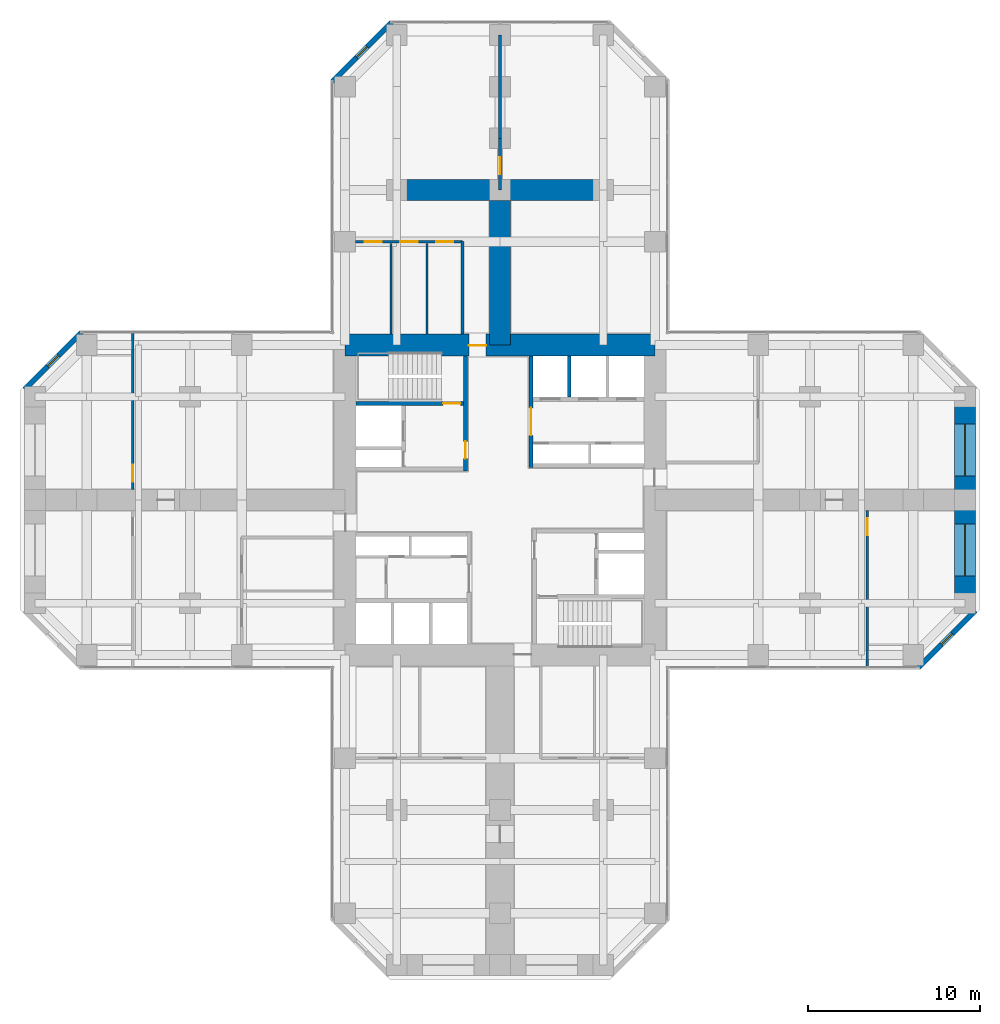
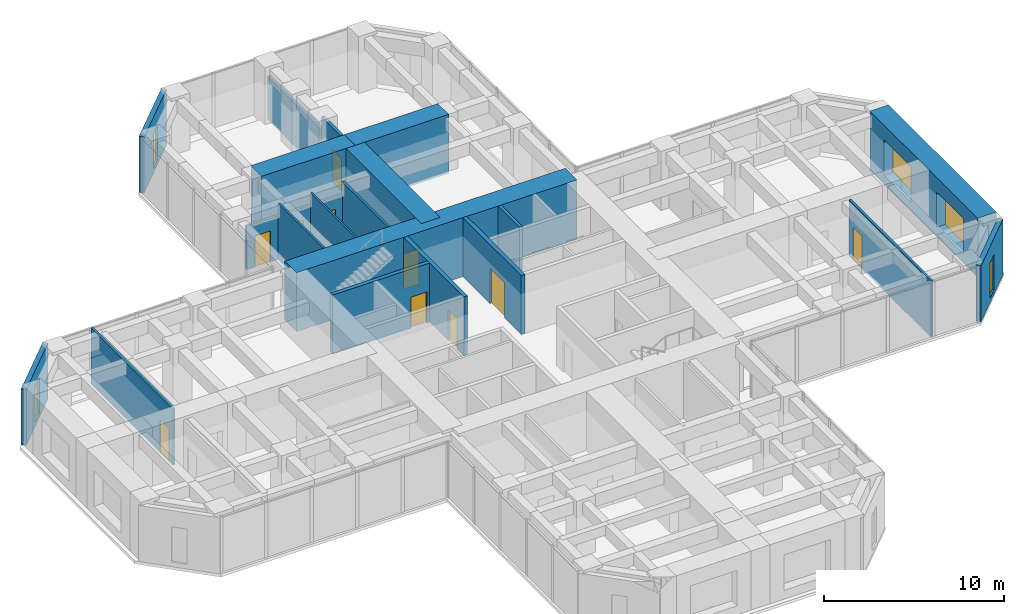
# One storey, part 10 of 12: 20 walls, 10 doors, 5 windows, 15 openings.
"""IFC4 building model written with IfcOpenShell, lengths in metres."""

from ifc_helpers import new_model, si_unit, direction, frame, frame_2d, origin, place, context, subcontext, project, spatial, rectangle, hollow_rectangle, extrude, material, layer, layer_set, constituent, constituent_set, type_object, element, fill, save


model = new_model("IFC4")

# Units and contexts
model_context = context("Model", 3, precision=1e-05, world=origin(), true_north=direction((0.0, 1.0)))
body_context = subcontext(model_context, "Body", "Model", "MODEL_VIEW")
ifc_project = project(units=[si_unit("LENGTHUNIT", "METRE"), si_unit("AREAUNIT", "SQUARE_METRE"), si_unit("VOLUMEUNIT", "CUBIC_METRE"), si_unit("PLANEANGLEUNIT", "RADIAN"), si_unit("MASSUNIT", "GRAM", prefix="KILO")], contexts=[model_context])

# Site, building, storey
site_placement = place(None, origin())
site = spatial("IfcSite", under=ifc_project, at=site_placement, CompositionType="ELEMENT")
building_placement = place(site_placement, origin())
building = spatial("IfcBuilding", under=site, at=building_placement, Name="Torre Cruceta", CompositionType="ELEMENT")
storey_placement = place(building_placement, frame((0.0, 0.0, 43.5)))
storey = spatial("IfcBuildingStorey", under=building, at=storey_placement, Name="L10", CompositionType="ELEMENT", Elevation=43.5)

# Wall, opening, door
ifc_material_1 = material(Name="Concrete G60 (fck 60 MPa)", Category="concrete")
ifc_layer_1 = layer(ifc_material_1, 0.25)
ifc_layer_set_1 = layer_set([ifc_layer_1], Name="Concrete G60 (fck 60 MPa)")
wall_type_1 = type_object("IfcWallType", Name="CORE INNER WALL 250 G60", PredefinedType="SHEAR", material=ifc_layer_set_1)
wall_1_placement = place(storey_placement, frame((1.800048828125, 1.875, 0.0), z_axis=(0.0, 0.0, 1.0), x_axis=(0.0, 1.0, 0.0)))
wall_1 = element("IfcWall", 1, at=wall_1_placement, inside=storey, type_object=wall_type_1, Name="CW4 L10 NE-CU", PredefinedType="SHEAR", context=body_context, shape_type="SweptSolid", body=[
    extrude(rectangle(XDim=6.47509765625, YDim=0.25, at=frame_2d((3.237548828125, 0.0))), origin(), (0.0, 0.0, 1.0), 4.0),
])
opening_1_placement = place(wall_1_placement, frame((1.875, 0.0, 0.0)))
opening_1 = element("IfcOpeningElement", 2, at=opening_1_placement, cuts=wall_1, Name="Opening D8", PredefinedType="OPENING", context=body_context, shape_type="SweptSolid", body=[
    extrude(rectangle(XDim=1.60009765625, YDim=2.39990234375, at=frame_2d((0.800048828125, 1.199951171875))), frame((0.0, 0.135009765625, 0.0), z_axis=(0.0, -1.0, 0.0), x_axis=(1.0, 0.0, 0.0)), (0.0, 0.0, 1.0), 0.27001953125),
])
ifc_material_2 = material(Name="Steel DX51D", Category="steel")
ifc_constituent_1 = constituent(ifc_material_2, Name="Leaf and frame")
ifc_material_3 = material(Name="Polyester powder coating", Category="paint")
ifc_constituent_2 = constituent(ifc_material_3, Name="Finish")
ifc_material_4 = material(Name="Fire-resisting glass", Category="glass")
ifc_constituent_3 = constituent(ifc_material_4, Name="Vision panel")
ifc_constituent_set_1 = constituent_set(constituents=[ifc_constituent_1, ifc_constituent_2, ifc_constituent_3], Name="Steel fire door with vision panels")
door_type_1 = type_object("IfcDoorType", Name="LIFT LOBBY DOUBLE DOOR 1600X2400", OperationType="DOUBLE_DOOR_DOUBLE_SWING", PredefinedType="DOOR", material=ifc_constituent_set_1)
door_1_placement = place(opening_1_placement, origin())
door_1 = element("IfcDoor", 3, at=door_1_placement, inside=storey, type_object=door_type_1, Name="D8 L10 NE-LOBBY", OperationType="DOUBLE_DOOR_DOUBLE_SWING", OverallHeight=2.39990234375, OverallWidth=1.60009765625, PredefinedType="DOOR", context=body_context, shape_type="SweptSolid", body=[
    extrude(rectangle(XDim=1.60009765625, YDim=2.39990234375, at=frame_2d((0.800048828125, 1.199951171875))), frame((0.0, 0.02490234375, 0.0), z_axis=(0.0, -1.0, 0.0), x_axis=(1.0, 0.0, 0.0)), (0.0, 0.0, 1.0), 0.050048828125),
])
fill(opening_1, door_1)

wall_2_placement = place(storey_placement, frame((-2.0, 1.675048828125, 0.0), z_axis=(0.0, 0.0, 1.0), x_axis=(0.0, 1.0, 0.0)))
wall_2 = element("IfcWall", 4, at=wall_2_placement, inside=storey, type_object=wall_type_1, Name="CW4 L10 NW-CU", PredefinedType="SHEAR", context=body_context, shape_type="SweptSolid", body=[
    extrude(rectangle(XDim=6.675048828125, YDim=0.25, at=frame_2d((3.33740234375, 0.0))), origin(), (0.0, 0.0, 1.0), 4.0),
])
opening_2_placement = place(wall_2_placement, frame((0.72509765625, 0.0, 0.0)))
opening_2 = element("IfcOpeningElement", 5, at=opening_2_placement, cuts=wall_2, Name="Opening D3", PredefinedType="OPENING", context=body_context, shape_type="SweptSolid", body=[
    extrude(rectangle(XDim=1.0, YDim=2.10009765625, at=frame_2d((0.5, 1.050048828125))), frame((0.0, 0.135009765625, 0.0), z_axis=(0.0, -1.0, 0.0), x_axis=(1.0, 0.0, 0.0)), (0.0, 0.0, 1.0), 0.27001953125),
])
ifc_material_5 = material(Name="Steel DX51D", Category="steel")
ifc_constituent_4 = constituent(ifc_material_5, Name="Leaf and frame")
ifc_material_6 = material(Name="Polyester powder coating", Category="paint")
ifc_constituent_5 = constituent(ifc_material_6, Name="Finish")
ifc_constituent_set_2 = constituent_set(constituents=[ifc_constituent_4, ifc_constituent_5], Name="Steel fire door")
door_type_2 = type_object("IfcDoorType", Name="FIRE DOOR 1000X2100", OperationType="SINGLE_SWING_LEFT", PredefinedType="DOOR", material=ifc_constituent_set_2)
door_2_placement = place(opening_2_placement, origin())
door_2 = element("IfcDoor", 6, at=door_2_placement, inside=storey, type_object=door_type_2, Name="D3 L10 NW-LOBBY", OperationType="SINGLE_SWING_LEFT", OverallHeight=2.10009765625, OverallWidth=1.0, PredefinedType="DOOR", context=body_context, shape_type="SweptSolid", body=[
    extrude(rectangle(XDim=1.0, YDim=2.10009765625, at=frame_2d((0.5, 1.050048828125))), frame((0.0, 0.02490234375, 0.0), z_axis=(0.0, -1.0, 0.0), x_axis=(1.0, 0.0, 0.0)), (0.0, 0.0, 1.0), 0.050048828125),
])
fill(opening_2, door_2)

wall_3_placement = place(storey_placement, frame((-2.125, 5.60009765625, 0.0), z_axis=(0.0, 0.0, 1.0), x_axis=(-1.0, 0.0, 0.0)))
wall_3 = element("IfcWall", 7, at=wall_3_placement, inside=storey, type_object=wall_type_1, Name="CW4 L10 NW-SV", PredefinedType="SHEAR", context=body_context, shape_type="SweptSolid", body=[
    extrude(rectangle(XDim=6.22509765625, YDim=0.25, at=frame_2d((3.112548828125, 0.0))), origin(), (0.0, 0.0, 1.0), 4.0),
])
opening_3_placement = place(wall_3_placement, frame((0.175048828125, 0.0, 0.0)))
opening_3 = element("IfcOpeningElement", 8, at=opening_3_placement, cuts=wall_3, Name="Opening D3", PredefinedType="OPENING", context=body_context, shape_type="SweptSolid", body=[
    extrude(rectangle(XDim=1.0, YDim=2.10009765625, at=frame_2d((0.5, 1.050048828125))), frame((0.0, 0.135009765625, 0.0), z_axis=(0.0, -1.0, 0.0), x_axis=(1.0, 0.0, 0.0)), (0.0, 0.0, 1.0), 0.27001953125),
])
door_3_placement = place(opening_3_placement, frame((1.0, 0.0, 0.0), z_axis=(0.0, 0.0, 1.0), x_axis=(-1.0, 0.0, 0.0)))
door_3 = element("IfcDoor", 9, at=door_3_placement, inside=storey, type_object=door_type_2, Name="D3 L10 NW-STAIR", OperationType="SINGLE_SWING_RIGHT", OverallHeight=2.10009765625, OverallWidth=1.0, PredefinedType="DOOR", context=body_context, shape_type="SweptSolid", body=[
    extrude(rectangle(XDim=1.0, YDim=2.10009765625, at=frame_2d((0.5, 1.050048828125))), frame((0.0, 0.025146484375, 0.0), z_axis=(0.0, -1.0, 0.0), x_axis=(1.0, 0.0, 0.0)), (0.0, 0.0, 1.0), 0.050048828125),
])
fill(opening_3, door_3)

ifc_material_7 = material(Name="Concrete G60 (fck 60 MPa)", Category="concrete")
ifc_layer_2 = layer(ifc_material_7, 1.300048828125)
ifc_layer_set_2 = layer_set([ifc_layer_2], Name="Concrete G60 (fck 60 MPa)")
wall_type_2 = type_object("IfcWallType", Name="CORE WALL 1300 G60", PredefinedType="SHEAR", material=ifc_layer_set_2)
wall_4_placement = place(storey_placement, frame((9.0, 9.0, 0.0), z_axis=(0.0, 0.0, 1.0), x_axis=(-1.0, 0.0, 0.0)))
wall_4 = element("IfcWall", 10, at=wall_4_placement, inside=storey, type_object=wall_type_2, Name="CW1 L10 CW-N", PredefinedType="SHEAR", context=body_context, shape_type="SweptSolid", body=[
    extrude(rectangle(XDim=18.0, YDim=1.300048828125, at=frame_2d((9.0, 0.0))), origin(), (0.0, 0.0, 1.0), 4.0),
])
opening_4_placement = place(wall_4_placement, frame((9.800048828125, 0.0, 0.0)))
opening_4 = element("IfcOpeningElement", 11, at=opening_4_placement, cuts=wall_4, Name="Opening D4", PredefinedType="OPENING", context=body_context, shape_type="SweptSolid", body=[
    extrude(rectangle(XDim=1.0, YDim=2.39990234375, at=frame_2d((0.5, 1.199951171875))), frame((0.0, 0.659912109375, 0.0), z_axis=(0.0, -1.0, 0.0), x_axis=(1.0, 0.0, 0.0)), (0.0, 0.0, 1.0), 1.320068359375),
])
ifc_material_8 = material(Name="Steel DX51D", Category="steel")
ifc_constituent_6 = constituent(ifc_material_8, Name="Leaf and frame")
ifc_material_9 = material(Name="Polyester powder coating", Category="paint")
ifc_constituent_7 = constituent(ifc_material_9, Name="Finish")
ifc_constituent_set_3 = constituent_set(constituents=[ifc_constituent_6, ifc_constituent_7], Name="Steel fire door")
door_type_3 = type_object("IfcDoorType", Name="CORE ARM DOOR 1000X2400", OperationType="SINGLE_SWING_RIGHT", PredefinedType="DOOR", material=ifc_constituent_set_3)
door_4_placement = place(opening_4_placement, frame((1.0, 0.0, 0.0), z_axis=(0.0, 0.0, 1.0), x_axis=(-1.0, 0.0, 0.0)))
door_4 = element("IfcDoor", 12, at=door_4_placement, inside=storey, type_object=door_type_3, Name="D4 L10 CW-N", OperationType="SINGLE_SWING_RIGHT", OverallHeight=2.39990234375, OverallWidth=1.0, PredefinedType="DOOR", context=body_context, shape_type="SweptSolid", body=[
    extrude(rectangle(XDim=1.0, YDim=2.39990234375, at=frame_2d((0.5, 1.199951171875))), frame((0.0, -0.005126953125, 0.0), z_axis=(0.0, -1.0, 0.0), x_axis=(1.0, 0.0, 0.0)), (0.0, 0.0, 1.0), 0.050048828125),
])
fill(opening_4, door_4)

ifc_material_10 = material(Name="Concrete G25 (fck 25 MPa)", Category="concrete")
ifc_layer_3 = layer(ifc_material_10, 0.199951171875)
ifc_layer_set_3 = layer_set([ifc_layer_3], Name="Concrete G25 (fck 25 MPa)")
wall_type_3 = type_object("IfcWallType", Name="CORRIDOR WALL 200", PredefinedType="SOLIDWALL", material=ifc_layer_set_3)
wall_5_placement = place(storey_placement, frame((0.0, 18.0, 0.0), z_axis=(0.0, 0.0, 1.0), x_axis=(0.0, 1.0, 0.0)))
wall_5 = element("IfcWall", 13, at=wall_5_placement, inside=storey, type_object=wall_type_3, Name="PT3 spine line L10 N", PredefinedType="SOLIDWALL", context=body_context, shape_type="SweptSolid", body=[
    extrude(rectangle(XDim=3.0, YDim=0.199951171875, at=frame_2d((1.5, 0.0))), origin(), (0.0, 0.0, 1.0), 3.800048828125),
])
opening_5_placement = place(wall_5_placement, frame((0.89990234375, 0.0, 0.0)))
opening_5 = element("IfcOpeningElement", 14, at=opening_5_placement, cuts=wall_5, Name="Opening D14", PredefinedType="OPENING", context=body_context, shape_type="SweptSolid", body=[
    extrude(rectangle(XDim=1.0, YDim=2.199951171875, at=frame_2d((0.5, 1.10009765625))), frame((0.0, 0.10986328125, 0.0), z_axis=(0.0, -1.0, 0.0), x_axis=(1.0, 0.0, 0.0)), (0.0, 0.0, 1.0), 0.219970703125),
])
ifc_material_11 = material(Name="Steel DX51D", Category="steel")
ifc_constituent_8 = constituent(ifc_material_11, Name="Leaf and frame")
ifc_material_12 = material(Name="Polyester powder coating", Category="paint")
ifc_constituent_9 = constituent(ifc_material_12, Name="Finish")
ifc_material_13 = material(Name="Fire-resisting glass", Category="glass")
ifc_constituent_10 = constituent(ifc_material_13, Name="Vision panel")
ifc_constituent_set_4 = constituent_set(constituents=[ifc_constituent_8, ifc_constituent_9, ifc_constituent_10], Name="Steel fire door with vision panel")
door_type_4 = type_object("IfcDoorType", Name="FIRE DOOR VISION PANEL 1000X2200", OperationType="SINGLE_SWING_RIGHT", PredefinedType="DOOR", material=ifc_constituent_set_4)
door_5_placement = place(opening_5_placement, origin())
door_5 = element("IfcDoor", 15, at=door_5_placement, inside=storey, type_object=door_type_4, Name="D14 L10-N-SP1", OperationType="SINGLE_SWING_LEFT", OverallHeight=2.199951171875, OverallWidth=1.0, PredefinedType="DOOR", context=body_context, shape_type="SweptSolid", body=[
    extrude(rectangle(XDim=1.0, YDim=2.199951171875, at=frame_2d((0.5, 1.10009765625))), frame((0.0, 0.02490234375, 0.0), z_axis=(0.0, -1.0, 0.0), x_axis=(1.0, 0.0, 0.0)), (0.0, 0.0, 1.0), 0.050048828125),
])
fill(opening_5, door_5)

# Walls
wall_6_placement = place(storey_placement, frame((0.0, 21.0, 0.0), z_axis=(0.0, 0.0, 1.0), x_axis=(0.0, 1.0, 0.0)))
element("IfcWall", 16, at=wall_6_placement, inside=storey, type_object=wall_type_3, Name="PT3 spine line L10 N 2", PredefinedType="SOLIDWALL", context=body_context, shape_type="SweptSolid", body=[
    extrude(rectangle(XDim=6.0, YDim=0.199951171875, at=frame_2d((3.0, 0.0))), origin(), (0.0, 0.0, 1.0), 2.89990234375),
])
ifc_material_14 = material(Name="Concrete G60 (fck 60 MPa)", Category="concrete")
ifc_layer_4 = layer(ifc_material_14, 1.199951171875)
ifc_layer_set_4 = layer_set([ifc_layer_4], Name="Concrete G60 (fck 60 MPa)")
wall_type_4 = type_object("IfcWallType", Name="CROSS WALL 1200 G60", PredefinedType="SHEAR", material=ifc_layer_set_4)
for number, where, z_axis, x_axis, name in (
    (17, (0.0, 18.0, 0.0), (0.0, 0.0, 1.0), (-1.0, 0.0, 0.0), "XW1 cross wall L10 N L"),
    (18, (0.0, 18.0, 0.0), (0.0, 0.0, 1.0), (1.0, 0.0, 0.0), "XW1 cross wall L10 N R"),
):
    element("IfcWall", number, at=place(storey_placement, frame(where, z_axis=z_axis, x_axis=x_axis)), inside=storey, type_object=wall_type_4, Name=name, PredefinedType="SHEAR", context=body_context, shape_type="SweptSolid", body=[
        extrude(rectangle(XDim=6.0, YDim=1.199951171875, at=frame_2d((3.0, 0.0))), origin(), (0.0, 0.0, 1.0), 4.0),
    ])

# Wall, opening, window
ifc_material_15 = material(Name="Concrete G30 (fck 30 MPa)", Category="concrete")
ifc_layer_5 = layer(ifc_material_15, 0.300048828125)
ifc_layer_set_5 = layer_set([ifc_layer_5], Name="Concrete G30 (fck 30 MPa)")
wall_type_5 = type_object("IfcWallType", Name="EXPOSED CONCRETE FACADE WALL 300", PredefinedType="SOLIDWALL", material=ifc_layer_set_5)
wall_7_placement = place(storey_placement, frame((24.29833984375, -9.719970703125, 0.0), z_axis=(0.0, 0.0, 1.0), x_axis=(0.707106781187, 0.707106781187, 0.0)))
wall_7 = element("IfcWall", 19, at=wall_7_placement, inside=storey, type_object=wall_type_5, Name="EW1 facade wall L10 E chamfer 01", PredefinedType="SOLIDWALL", context=body_context, shape_type="SweptSolid", body=[
    extrude(rectangle(XDim=4.66943359375, YDim=0.300048828125, at=frame_2d((2.334716796875, 0.0))), origin(), (0.0, 0.0, 1.0), 3.800048828125),
])
opening_6_placement = place(wall_7_placement, frame((1.884765625, 0.0, 0.300048828125)))
opening_6 = element("IfcOpeningElement", 20, at=opening_6_placement, cuts=wall_7, Name="Opening WN5", PredefinedType="OPENING", context=body_context, shape_type="SweptSolid", body=[
    extrude(rectangle(XDim=0.89990234375, YDim=2.39990234375, at=frame_2d((0.449951171875, 1.199951171875))), frame((0.0, 0.159912109375, 0.0), z_axis=(0.0, -1.0, 0.0), x_axis=(1.0, 0.0, 0.0)), (0.0, 0.0, 1.0), 0.320068359375),
])
ifc_material_16 = material(Name="Aluminium window frame", Category="aluminium")
ifc_constituent_11 = constituent(ifc_material_16, Name="Frame")
ifc_material_17 = material(Name="Laminated insulating glass unit, low-iron clear", Category="glass")
ifc_constituent_12 = constituent(ifc_material_17, Name="Glazing")
ifc_constituent_set_5 = constituent_set(constituents=[ifc_constituent_11, ifc_constituent_12], Name="Aluminium window")
window_type_1 = type_object("IfcWindowType", Name="CHAMFER SLOT WINDOW 900X2400", PartitioningType="SINGLE_PANEL", PredefinedType="WINDOW", material=ifc_constituent_set_5)
window_1_placement = place(opening_6_placement, origin())
window_1 = element("IfcWindow", 21, at=window_1_placement, inside=storey, type_object=window_type_1, Name="WN5 L10 E 1", OverallHeight=2.39990234375, OverallWidth=0.89990234375, PartitioningType="SINGLE_PANEL", PredefinedType="WINDOW", context=body_context, shape_type="SweptSolid", body=[
    extrude(hollow_rectangle(XDim=0.89990234375, YDim=2.39990234375, WallThickness=0.06005859375, at=frame_2d((0.449951171875, 1.199951171875))), frame((0.0, 0.030029296875, 0.0), z_axis=(0.0, -1.0, 0.0), x_axis=(1.0, 0.0, 0.0)), (0.0, 0.0, 1.0), 0.06005859375),
    extrude(rectangle(XDim=0.77880859375, YDim=2.27880859375, at=frame_2d((0.449951171875, 1.199951171875))), frame((0.0, 0.030029296875, 0.0), z_axis=(0.0, -1.0, 0.0), x_axis=(1.0, 0.0, 0.0)), (0.0, 0.0, 1.0), 0.06005859375),
])
fill(opening_6, window_1)

wall_8_placement = place(storey_placement, frame((-6.29833984375, 27.719970703125, 0.0), z_axis=(0.0, 0.0, 1.0), x_axis=(-0.707106781187, -0.707106781187, 0.0)))
wall_8 = element("IfcWall", 22, at=wall_8_placement, inside=storey, type_object=wall_type_5, Name="EW1 facade wall L10 N chamfer 08", PredefinedType="SOLIDWALL", context=body_context, shape_type="SweptSolid", body=[
    extrude(rectangle(XDim=4.8388671875, YDim=0.300048828125, at=frame_2d((2.41943359375, 0.0))), origin(), (0.0, 0.0, 1.0), 3.800048828125),
])
opening_7_placement = place(wall_8_placement, frame((1.969482421875, 0.0, 0.300048828125)))
opening_7 = element("IfcOpeningElement", 23, at=opening_7_placement, cuts=wall_8, Name="Opening WN5", PredefinedType="OPENING", context=body_context, shape_type="SweptSolid", body=[
    extrude(rectangle(XDim=0.89990234375, YDim=2.39990234375, at=frame_2d((0.449951171875, 1.199951171875))), frame((0.0, 0.159912109375, 0.0), z_axis=(0.0, -1.0, 0.0), x_axis=(1.0, 0.0, 0.0)), (0.0, 0.0, 1.0), 0.320068359375),
])
window_2_placement = place(opening_7_placement, origin())
window_2 = element("IfcWindow", 24, at=window_2_placement, inside=storey, type_object=window_type_1, Name="WN5 L10 N 1", OverallHeight=2.39990234375, OverallWidth=0.89990234375, PartitioningType="SINGLE_PANEL", PredefinedType="WINDOW", context=body_context, shape_type="SweptSolid", body=[
    extrude(hollow_rectangle(XDim=0.89990234375, YDim=2.39990234375, WallThickness=0.06005859375, at=frame_2d((0.449951171875, 1.199951171875))), frame((0.0, 0.030029296875, 0.0), z_axis=(0.0, -1.0, 0.0), x_axis=(1.0, 0.0, 0.0)), (0.0, 0.0, 1.0), 0.06005859375),
    extrude(rectangle(XDim=0.77880859375, YDim=2.27880859375, at=frame_2d((0.449951171875, 1.199951171875))), frame((0.0, 0.030029296875, 0.0), z_axis=(0.0, -1.0, 0.0), x_axis=(1.0, 0.0, 0.0)), (0.0, 0.0, 1.0), 0.06005859375),
])
fill(opening_7, window_2)

wall_9_placement = place(storey_placement, frame((-24.29833984375, 9.719970703125, 0.0), z_axis=(0.0, 0.0, 1.0), x_axis=(-0.707106781187, -0.707106781187, 0.0)))
wall_9 = element("IfcWall", 25, at=wall_9_placement, inside=storey, type_object=wall_type_5, Name="EW1 facade wall L10 W chamfer 11", PredefinedType="SOLIDWALL", context=body_context, shape_type="SweptSolid", body=[
    extrude(rectangle(XDim=4.66943359375, YDim=0.300048828125, at=frame_2d((2.334716796875, 0.0))), origin(), (0.0, 0.0, 1.0), 3.800048828125),
])
opening_8_placement = place(wall_9_placement, frame((1.884765625, 0.0, 0.300048828125)))
opening_8 = element("IfcOpeningElement", 26, at=opening_8_placement, cuts=wall_9, Name="Opening WN5", PredefinedType="OPENING", context=body_context, shape_type="SweptSolid", body=[
    extrude(rectangle(XDim=0.89990234375, YDim=2.39990234375, at=frame_2d((0.449951171875, 1.199951171875))), frame((0.0, 0.159912109375, 0.0), z_axis=(0.0, -1.0, 0.0), x_axis=(1.0, 0.0, 0.0)), (0.0, 0.0, 1.0), 0.320068359375),
])
window_3_placement = place(opening_8_placement, origin())
window_3 = element("IfcWindow", 27, at=window_3_placement, inside=storey, type_object=window_type_1, Name="WN5 L10 W 1", OverallHeight=2.39990234375, OverallWidth=0.89990234375, PartitioningType="SINGLE_PANEL", PredefinedType="WINDOW", context=body_context, shape_type="SweptSolid", body=[
    extrude(hollow_rectangle(XDim=0.89990234375, YDim=2.39990234375, WallThickness=0.06005859375, at=frame_2d((0.449951171875, 1.199951171875))), frame((0.0, 0.030029296875, 0.0), z_axis=(0.0, -1.0, 0.0), x_axis=(1.0, 0.0, 0.0)), (0.0, 0.0, 1.0), 0.06005859375),
    extrude(rectangle(XDim=0.77880859375, YDim=2.27880859375, at=frame_2d((0.449951171875, 1.199951171875))), frame((0.0, 0.030029296875, 0.0), z_axis=(0.0, -1.0, 0.0), x_axis=(1.0, 0.0, 0.0)), (0.0, 0.0, 1.0), 0.06005859375),
])
fill(opening_8, window_3)

# Wall
ifc_material_18 = material(Name="Concrete G35 (fck 35 MPa)", Category="concrete")
ifc_layer_6 = layer(ifc_material_18, 0.199951171875)
ifc_layer_set_6 = layer_set([ifc_layer_6], Name="Concrete G35 (fck 35 MPa)")
wall_type_6 = type_object("IfcWallType", Name="LIFT SHAFT WALL 200", PredefinedType="PARTITIONING", material=ifc_layer_set_6)
wall_10_placement = place(storey_placement, frame((4.033447265625, 5.97509765625, 0.0), z_axis=(0.0, 0.0, 1.0), x_axis=(0.0, 1.0, 0.0)))
element("IfcWall", 28, at=wall_10_placement, inside=storey, type_object=wall_type_6, Name="SW1 L10 NE-LS1", PredefinedType="PARTITIONING", context=body_context, shape_type="SweptSolid", body=[
    extrude(rectangle(XDim=2.375, YDim=0.199951171875, at=frame_2d((1.1875, 0.0))), origin(), (0.0, 0.0, 1.0), 4.0),
])

# Wall, openings, windows
ifc_material_19 = material(Name="Concrete G60 (fck 60 MPa)", Category="concrete")
ifc_layer_7 = layer(ifc_material_19, 1.199951171875)
ifc_layer_set_7 = layer_set([ifc_layer_7], Name="Concrete G60 (fck 60 MPa)")
wall_type_7 = type_object("IfcWallType", Name="NOSE WALL 1200 G60", PredefinedType="SHEAR", material=ifc_layer_set_7)
wall_11_placement = place(storey_placement, frame((27.0, -6.0, 0.0), z_axis=(0.0, 0.0, 1.0), x_axis=(0.0, 1.0, 0.0)))
wall_11 = element("IfcWall", 29, at=wall_11_placement, inside=storey, type_object=wall_type_7, Name="NW1 nose wall L10 E", PredefinedType="SHEAR", context=body_context, shape_type="SweptSolid", body=[
    extrude(rectangle(XDim=12.0, YDim=1.199951171875, at=frame_2d((6.0, 0.0))), origin(), (0.0, 0.0, 1.0), 4.0),
])
opening_9_placement = place(wall_11_placement, frame((1.60009765625, 0.0, 0.60009765625)))
opening_9 = element("IfcOpeningElement", 30, at=opening_9_placement, cuts=wall_11, Name="Opening WN6", PredefinedType="OPENING", context=body_context, shape_type="SweptSolid", body=[
    extrude(rectangle(XDim=3.0, YDim=2.39990234375, at=frame_2d((1.5, 1.199951171875))), frame((0.0, 0.60986328125, 0.0), z_axis=(0.0, -1.0, 0.0), x_axis=(1.0, 0.0, 0.0)), (0.0, 0.0, 1.0), 1.219970703125),
])
opening_10_placement = place(wall_11_placement, frame((7.39990234375, 0.0, 0.60009765625)))
opening_10 = element("IfcOpeningElement", 31, at=opening_10_placement, cuts=wall_11, Name="Opening WN6", PredefinedType="OPENING", context=body_context, shape_type="SweptSolid", body=[
    extrude(rectangle(XDim=3.0, YDim=2.39990234375, at=frame_2d((1.5, 1.199951171875))), frame((0.0, 0.60986328125, 0.0), z_axis=(0.0, -1.0, 0.0), x_axis=(1.0, 0.0, 0.0)), (0.0, 0.0, 1.0), 1.219970703125),
])
ifc_material_20 = material(Name="Aluminium window frame", Category="aluminium")
ifc_constituent_13 = constituent(ifc_material_20, Name="Frame")
ifc_material_21 = material(Name="Laminated insulating glass unit, low-iron clear", Category="glass")
ifc_constituent_14 = constituent(ifc_material_21, Name="Glazing")
ifc_constituent_set_6 = constituent_set(constituents=[ifc_constituent_13, ifc_constituent_14], Name="Aluminium window")
window_type_2 = type_object("IfcWindowType", Name="NOSE WALL WINDOW 3000X2400", PartitioningType="SINGLE_PANEL", PredefinedType="WINDOW", material=ifc_constituent_set_6)
window_4_placement = place(opening_9_placement, origin())
window_4 = element("IfcWindow", 32, at=window_4_placement, inside=storey, type_object=window_type_2, Name="WN6 L10 E 1", OverallHeight=2.39990234375, OverallWidth=3.0, PartitioningType="SINGLE_PANEL", PredefinedType="WINDOW", context=body_context, shape_type="SweptSolid", body=[
    extrude(hollow_rectangle(XDim=3.0, YDim=2.39990234375, WallThickness=0.06005859375, at=frame_2d((1.5, 1.199951171875))), frame((0.0, 0.030029296875, 0.0), z_axis=(0.0, -1.0, 0.0), x_axis=(1.0, 0.0, 0.0)), (0.0, 0.0, 1.0), 0.06005859375),
    extrude(rectangle(XDim=2.87890625, YDim=2.27880859375, at=frame_2d((1.5, 1.199951171875))), frame((0.0, 0.030029296875, 0.0), z_axis=(0.0, -1.0, 0.0), x_axis=(1.0, 0.0, 0.0)), (0.0, 0.0, 1.0), 0.06005859375),
])
fill(opening_9, window_4)
window_5_placement = place(opening_10_placement, origin())
window_5 = element("IfcWindow", 33, at=window_5_placement, inside=storey, type_object=window_type_2, Name="WN6 L10 E 2", OverallHeight=2.39990234375, OverallWidth=3.0, PartitioningType="SINGLE_PANEL", PredefinedType="WINDOW", context=body_context, shape_type="SweptSolid", body=[
    extrude(hollow_rectangle(XDim=3.0, YDim=2.39990234375, WallThickness=0.06005859375, at=frame_2d((1.5, 1.199951171875))), frame((0.0, 0.030029296875, 0.0), z_axis=(0.0, -1.0, 0.0), x_axis=(1.0, 0.0, 0.0)), (0.0, 0.0, 1.0), 0.06005859375),
    extrude(rectangle(XDim=2.87890625, YDim=2.27880859375, at=frame_2d((1.5, 1.199951171875))), frame((0.0, 0.030029296875, 0.0), z_axis=(0.0, -1.0, 0.0), x_axis=(1.0, 0.0, 0.0)), (0.0, 0.0, 1.0), 0.06005859375),
])
fill(opening_10, window_5)

# Wall, openings, doors
ifc_material_22 = material(Name="Plasterboard on steel studs", Category="steel")
ifc_layer_8 = layer(ifc_material_22, 0.14990234375)
ifc_layer_set_8 = layer_set([ifc_layer_8], Name="Plasterboard on steel studs")
wall_type_8 = type_object("IfcWallType", Name="PARTITION 150", PredefinedType="PARTITIONING", material=ifc_layer_set_8)
wall_12_placement = place(storey_placement, frame((-2.175048828125, 15.0, 0.0), z_axis=(0.0, 0.0, 1.0), x_axis=(-1.0, 0.0, 0.0)))
wall_12 = element("IfcWall", 34, at=wall_12_placement, inside=storey, type_object=wall_type_8, Name="PT1 L10-N-BFL", PredefinedType="PARTITIONING", context=body_context, shape_type="SweptSolid", body=[
    extrude(rectangle(XDim=6.224853515625, YDim=0.14990234375, at=frame_2d((3.1123046875, 0.0))), origin(), (0.0, 0.0, 1.0), 2.949951171875),
])
opening_11_placement = place(wall_12_placement, frame((0.53759765625, 0.0, 0.0)))
opening_11 = element("IfcOpeningElement", 35, at=opening_11_placement, cuts=wall_12, Name="Opening D3", PredefinedType="OPENING", context=body_context, shape_type="SweptSolid", body=[
    extrude(rectangle(XDim=1.0, YDim=2.10009765625, at=frame_2d((0.5, 1.050048828125))), frame((0.0, 0.0849609375, 0.0), z_axis=(0.0, -1.0, 0.0), x_axis=(1.0, 0.0, 0.0)), (0.0, 0.0, 1.0), 0.169921875),
])
opening_12_placement = place(wall_12_placement, frame((2.612548828125, 0.0, 0.0)))
opening_12 = element("IfcOpeningElement", 36, at=opening_12_placement, cuts=wall_12, Name="Opening D3", PredefinedType="OPENING", context=body_context, shape_type="SweptSolid", body=[
    extrude(rectangle(XDim=1.0, YDim=2.10009765625, at=frame_2d((0.5, 1.050048828125))), frame((0.0, 0.0849609375, 0.0), z_axis=(0.0, -1.0, 0.0), x_axis=(1.0, 0.0, 0.0)), (0.0, 0.0, 1.0), 0.169921875),
])
opening_13_placement = place(wall_12_placement, frame((4.6875, 0.0, 0.0)))
opening_13 = element("IfcOpeningElement", 37, at=opening_13_placement, cuts=wall_12, Name="Opening D3", PredefinedType="OPENING", context=body_context, shape_type="SweptSolid", body=[
    extrude(rectangle(XDim=1.0, YDim=2.10009765625, at=frame_2d((0.5, 1.050048828125))), frame((0.0, 0.0849609375, 0.0), z_axis=(0.0, -1.0, 0.0), x_axis=(1.0, 0.0, 0.0)), (0.0, 0.0, 1.0), 0.169921875),
])
door_6_placement = place(opening_11_placement, origin())
door_6 = element("IfcDoor", 38, at=door_6_placement, inside=storey, type_object=door_type_2, Name="D3 L10-N-BFL-D1", OperationType="SINGLE_SWING_LEFT", OverallHeight=2.10009765625, OverallWidth=1.0, PredefinedType="DOOR", context=body_context, shape_type="SweptSolid", body=[
    extrude(rectangle(XDim=1.0, YDim=2.10009765625, at=frame_2d((0.5, 1.050048828125))), frame((0.0, 0.02490234375, 0.0), z_axis=(0.0, -1.0, 0.0), x_axis=(1.0, 0.0, 0.0)), (0.0, 0.0, 1.0), 0.050048828125),
])
fill(opening_11, door_6)
door_7_placement = place(opening_12_placement, origin())
door_7 = element("IfcDoor", 39, at=door_7_placement, inside=storey, type_object=door_type_2, Name="D3 L10-N-BFL-D2", OperationType="SINGLE_SWING_LEFT", OverallHeight=2.10009765625, OverallWidth=1.0, PredefinedType="DOOR", context=body_context, shape_type="SweptSolid", body=[
    extrude(rectangle(XDim=1.0, YDim=2.10009765625, at=frame_2d((0.5, 1.050048828125))), frame((0.0, 0.02490234375, 0.0), z_axis=(0.0, -1.0, 0.0), x_axis=(1.0, 0.0, 0.0)), (0.0, 0.0, 1.0), 0.050048828125),
])
fill(opening_12, door_7)
door_8_placement = place(opening_13_placement, origin())
door_8 = element("IfcDoor", 40, at=door_8_placement, inside=storey, type_object=door_type_2, Name="D3 L10-N-BFL-D3", OperationType="SINGLE_SWING_LEFT", OverallHeight=2.10009765625, OverallWidth=1.0, PredefinedType="DOOR", context=body_context, shape_type="SweptSolid", body=[
    extrude(rectangle(XDim=1.0, YDim=2.10009765625, at=frame_2d((0.5, 1.050048828125))), frame((0.0, 0.02490234375, 0.0), z_axis=(0.0, -1.0, 0.0), x_axis=(1.0, 0.0, 0.0)), (0.0, 0.0, 1.0), 0.050048828125),
])
fill(opening_13, door_8)

# Wall
wall_13_placement = place(storey_placement, frame((-2.175048828125, 9.64990234375, 0.0), z_axis=(0.0, 0.0, 1.0), x_axis=(0.0, 1.0, 0.0)))
element("IfcWall", 41, at=wall_13_placement, inside=storey, type_object=wall_type_8, Name="PT1 L10-N-BSL", PredefinedType="PARTITIONING", context=body_context, shape_type="SweptSolid", body=[
    extrude(rectangle(XDim=5.35009765625, YDim=0.14990234375, at=frame_2d((2.675048828125, 0.0))), origin(), (0.0, 0.0, 1.0), 3.800048828125),
])

# Wall, opening, door
wall_14_placement = place(storey_placement, frame((21.320068359375, -9.679931640625, 0.0), z_axis=(0.0, 0.0, 1.0), x_axis=(0.0, 1.0, 0.0)))
wall_14 = element("IfcWall", 42, at=wall_14_placement, inside=storey, type_object=wall_type_8, Name="PT1 L10-E-TWR", PredefinedType="PARTITIONING", context=body_context, shape_type="SweptSolid", body=[
    extrude(rectangle(XDim=9.079833984375, YDim=0.14990234375, at=frame_2d((4.5400390625, 0.0))), origin(), (0.0, 0.0, 1.0), 3.800048828125),
])
opening_14_placement = place(wall_14_placement, frame((7.6298828125, 0.0, 0.0)))
opening_14 = element("IfcOpeningElement", 43, at=opening_14_placement, cuts=wall_14, Name="Opening D14", PredefinedType="OPENING", context=body_context, shape_type="SweptSolid", body=[
    extrude(rectangle(XDim=1.0, YDim=2.199951171875, at=frame_2d((0.5, 1.10009765625))), frame((0.0, 0.0849609375, 0.0), z_axis=(0.0, -1.0, 0.0), x_axis=(1.0, 0.0, 0.0)), (0.0, 0.0, 1.0), 0.169921875),
])
door_9_placement = place(opening_14_placement, frame((1.0, 0.0, 0.0), z_axis=(0.0, 0.0, 1.0), x_axis=(-1.0, 0.0, 0.0)))
door_9 = element("IfcDoor", 44, at=door_9_placement, inside=storey, type_object=door_type_4, Name="D14 L10-E-TWR-D1", OperationType="SINGLE_SWING_LEFT", OverallHeight=2.199951171875, OverallWidth=1.0, PredefinedType="DOOR", context=body_context, shape_type="SweptSolid", body=[
    extrude(rectangle(XDim=1.0, YDim=2.199951171875, at=frame_2d((0.5, 1.10009765625))), frame((0.0, 0.025146484375, 0.0), z_axis=(0.0, -1.0, 0.0), x_axis=(1.0, 0.0, 0.0)), (0.0, 0.0, 1.0), 0.050048828125),
])
fill(opening_14, door_9)

wall_15_placement = place(storey_placement, frame((-21.320068359375, 9.679931640625, 0.0), z_axis=(0.0, 0.0, 1.0), x_axis=(0.0, -1.0, 0.0)))
wall_15 = element("IfcWall", 45, at=wall_15_placement, inside=storey, type_object=wall_type_8, Name="PT1 L10-W-TWR", PredefinedType="PARTITIONING", context=body_context, shape_type="SweptSolid", body=[
    extrude(rectangle(XDim=9.079833984375, YDim=0.14990234375, at=frame_2d((4.5400390625, 0.0))), origin(), (0.0, 0.0, 1.0), 3.800048828125),
])
opening_15_placement = place(wall_15_placement, frame((7.6298828125, 0.0, 0.0)))
opening_15 = element("IfcOpeningElement", 46, at=opening_15_placement, cuts=wall_15, Name="Opening D14", PredefinedType="OPENING", context=body_context, shape_type="SweptSolid", body=[
    extrude(rectangle(XDim=1.0, YDim=2.199951171875, at=frame_2d((0.5, 1.10009765625))), frame((0.0, 0.0849609375, 0.0), z_axis=(0.0, -1.0, 0.0), x_axis=(1.0, 0.0, 0.0)), (0.0, 0.0, 1.0), 0.169921875),
])
door_10_placement = place(opening_15_placement, frame((1.0, 0.0, 0.0), z_axis=(0.0, 0.0, 1.0), x_axis=(-1.0, 0.0, 0.0)))
door_10 = element("IfcDoor", 47, at=door_10_placement, inside=storey, type_object=door_type_4, Name="D14 L10-W-TWR-D1", OperationType="SINGLE_SWING_LEFT", OverallHeight=2.199951171875, OverallWidth=1.0, PredefinedType="DOOR", context=body_context, shape_type="SweptSolid", body=[
    extrude(rectangle(XDim=1.0, YDim=2.199951171875, at=frame_2d((0.5, 1.10009765625))), frame((0.0, 0.025146484375, 0.0), z_axis=(0.0, -1.0, 0.0), x_axis=(1.0, 0.0, 0.0)), (0.0, 0.0, 1.0), 0.050048828125),
])
fill(opening_15, door_10)

# Walls
ifc_material_23 = material(Name="Concrete G60 (fck 60 MPa)", Category="concrete")
ifc_layer_9 = layer(ifc_material_23, 1.199951171875)
ifc_layer_set_9 = layer_set([ifc_layer_9], Name="Concrete G60 (fck 60 MPa)")
wall_type_9 = type_object("IfcWallType", Name="SPINE WALL 1200 G60", PredefinedType="SHEAR", material=ifc_layer_set_9)
wall_16_placement = place(storey_placement, frame((0.0, 9.0, 0.0), z_axis=(0.0, 0.0, 1.0), x_axis=(0.0, 1.0, 0.0)))
element("IfcWall", 48, at=wall_16_placement, inside=storey, type_object=wall_type_9, Name="SW3 spine wall L10 N", PredefinedType="SHEAR", context=body_context, shape_type="SweptSolid", body=[
    extrude(rectangle(XDim=9.0, YDim=1.199951171875, at=frame_2d((4.5, 0.0))), origin(), (0.0, 0.0, 1.0), 4.0),
])
ifc_material_24 = material(Name="Plasterboard on steel studs", Category="steel")
ifc_layer_10 = layer(ifc_material_24, 0.1201171875)
ifc_layer_set_10 = layer_set([ifc_layer_10], Name="Plasterboard on steel studs")
wall_type_10 = type_object("IfcWallType", Name="WC PARTITION 120", PredefinedType="PLUMBINGWALL", material=ifc_layer_set_10)
for number, where, z_axis, x_axis, name in (
    (49, (-4.25, 9.64990234375, 0.0), (0.0, 0.0, 1.0), (0.0, 1.0, 0.0), "PT5 L10-N-BDL1"),
    (50, (-6.324951171875, 9.64990234375, 0.0), (0.0, 0.0, 1.0), (0.0, 1.0, 0.0), "PT5 L10-N-BDL2"),
):
    element("IfcWall", number, at=place(storey_placement, frame(where, z_axis=z_axis, x_axis=x_axis)), inside=storey, type_object=wall_type_10, Name=name, PredefinedType="PLUMBINGWALL", context=body_context, shape_type="SweptSolid", body=[
        extrude(rectangle(XDim=5.25, YDim=0.1201171875, at=frame_2d((2.625, 0.0))), origin(), (0.0, 0.0, 1.0), 3.800048828125),
    ])

save(model, "model.ifc")
